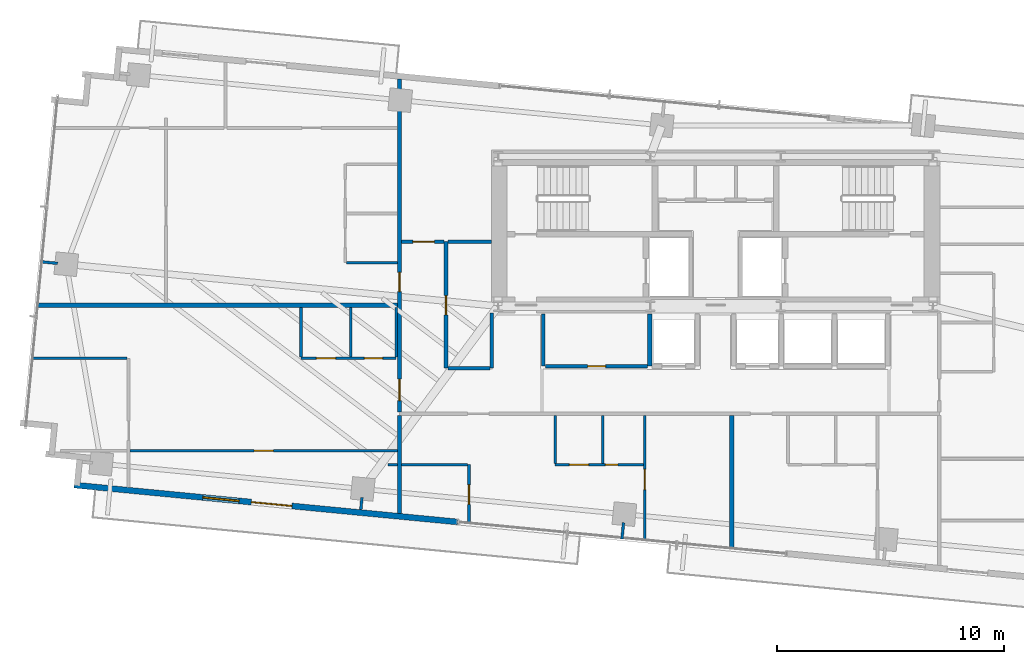
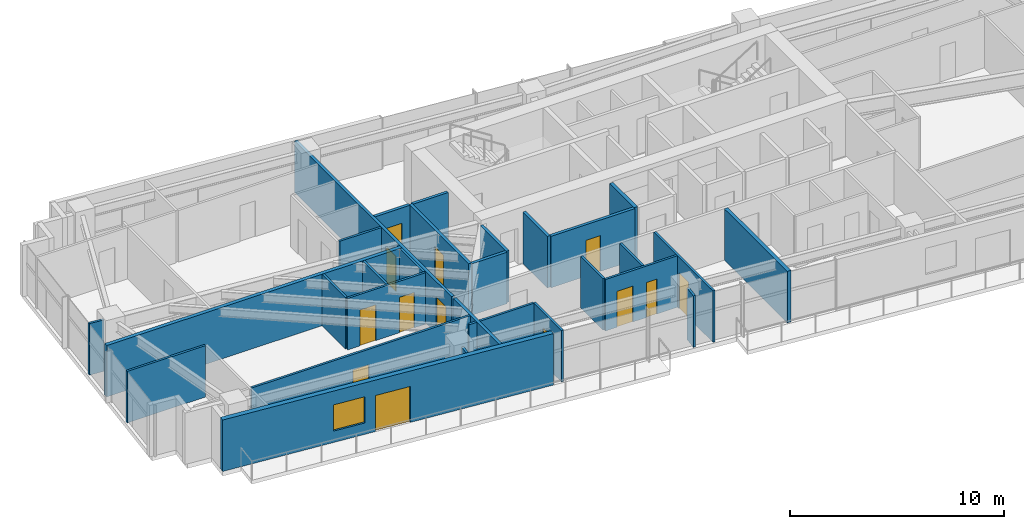
# One storey, part 15 of 20: 30 walls, 13 doors, 1 window, 14 openings.
"""IFC4 building model written with IfcOpenShell, lengths in metres."""

import ifcopenshell
import ifcopenshell.guid

model = None  # the IFC model being written
_history = None  # IfcOwnerHistory: only IFC2X3 demands one
_inside = {}  # id of a spatial element -> (the spatial element, [elements in it])
_under = {}  # id of a project, library or spatial element -> (it, [spatial elements below it])
_declared = {}  # id of a project -> (the project, [libraries it declares])
_typed = {}  # id of a type object -> (the type object, [elements of that type])
_made_of = {}  # id of a material, layer set ... -> (it, [elements and type objects made of it])


def new_model(schema):
    """Start an empty IFC model of exactly this schema.

    Asked for "IFC4X3", IfcOpenShell would pick the latest addendum, in which some entities
    have other attributes; the version numbers below select the first issue.
    IFC2X3 requires an IfcOwnerHistory on every rooted entity: one is made here for all.
    """
    global model, _history
    if schema == "IFC4X3":
        model = ifcopenshell.file(schema_version=(4, 3, 0, 0))
    else:
        model = ifcopenshell.file(schema=schema)
    _inside.clear()
    _under.clear()
    _declared.clear()
    _typed.clear()
    _made_of.clear()
    _history = None
    if model.schema == "IFC2X3":
        org = make("IfcOrganization", Name="unknown")
        user = make(
            "IfcPersonAndOrganization",
            ThePerson=make("IfcPerson", FamilyName="unknown"),
            TheOrganization=org,
        )
        app = make(
            "IfcApplication",
            ApplicationDeveloper=org,
            Version="unknown",
            ApplicationFullName="unknown",
            ApplicationIdentifier="unknown",
        )
        _history = make(
            "IfcOwnerHistory",
            OwningUser=user,
            OwningApplication=app,
            ChangeAction="ADDED",
            CreationDate=0,
        )
    return model


def make(cls, **values):
    """One entity of the class cls with the attributes given. An attribute that is None is left unset."""
    return model.create_entity(
        cls, **{name: value for name, value in values.items() if value is not None}
    )


def rooted(cls, **values):
    """An entity with a GlobalId (a new one), such as an element, a storey or a relation."""
    return make(cls, GlobalId=ifcopenshell.guid.new(), OwnerHistory=_history, **values)


def si_unit(unit_type, name, prefix=None):
    """IfcSIUnit, for example si_unit("LENGTHUNIT", "METRE", prefix="MILLI")."""
    return make("IfcSIUnit", UnitType=unit_type, Prefix=prefix, Name=name)


def assignment(units):
    """IfcUnitAssignment: the units of a project."""
    return None if units is None else make("IfcUnitAssignment", Units=units)


def point(xyz):
    """IfcCartesianPoint."""
    return None if xyz is None else make("IfcCartesianPoint", Coordinates=xyz)


def direction(xyz):
    """IfcDirection."""
    return None if xyz is None else make("IfcDirection", DirectionRatios=xyz)


def frame(location, z_axis=None, x_axis=None):
    """IfcAxis2Placement3D, a coordinate frame: its origin and axes. An axis left out is left unset."""
    return make(
        "IfcAxis2Placement3D",
        Location=point(location),
        Axis=direction(z_axis),
        RefDirection=direction(x_axis),
    )


def frame_2d(location, x_axis=None):
    """IfcAxis2Placement2D, a coordinate frame in the plane: its origin and x axis."""
    return make(
        "IfcAxis2Placement2D", Location=point(location), RefDirection=direction(x_axis)
    )


def origin():
    """The frame at (0, 0, 0) with its axes left unset."""
    return frame((0.0, 0.0, 0.0))


def place(relative_to, where):
    """IfcLocalPlacement: puts the frame where relative to a parent placement (None: the world)."""
    return make(
        "IfcLocalPlacement", PlacementRelTo=relative_to, RelativePlacement=where
    )


def context(
    kind, dimensions, precision=None, world=None, true_north=None, identifier=None
):
    """IfcGeometricRepresentationContext, for example the 3D "Model" context."""
    return make(
        "IfcGeometricRepresentationContext",
        ContextIdentifier=identifier,
        ContextType=kind,
        CoordinateSpaceDimension=dimensions,
        Precision=precision,
        WorldCoordinateSystem=world,
        TrueNorth=true_north,
    )


def subcontext(parent, identifier, kind, view, scale=None):
    """IfcGeometricRepresentationSubContext, for example "Body" below "Model"."""
    return make(
        "IfcGeometricRepresentationSubContext",
        ContextIdentifier=identifier,
        ContextType=kind,
        ParentContext=parent,
        TargetScale=scale,
        TargetView=view,
    )


def project(units=None, contexts=None):
    """IfcProject with its units and contexts."""
    return rooted(
        "IfcProject",
        Name="project",
        RepresentationContexts=contexts,
        UnitsInContext=assignment(units),
    )


def spatial(cls, under=None, at=None, **own):
    """A site, building, storey or space (cls), placed at a placement, below another one or the project."""
    s = rooted(cls, ObjectPlacement=at, **own)
    if under is not None:
        _under.setdefault(under.id(), (under, []))[1].append(s)
    return s


def profile(cls, at=None, kind="AREA", **sizes):
    """A parametric profile (cls). Its sizes go by their IFC names, for example OverallWidth=200.0."""
    return make(cls, ProfileType=kind, Position=at, **sizes)


def rectangle(**sizes):
    """IfcRectangleProfileDef."""
    return profile("IfcRectangleProfileDef", **sizes)


def extrude(swept, where, along, depth):
    """IfcExtrudedAreaSolid: the profile swept, set in the frame where, extruded along a direction by depth."""
    return make(
        "IfcExtrudedAreaSolid",
        SweptArea=swept,
        Position=where,
        ExtrudedDirection=direction(along),
        Depth=depth,
    )


def shape(context_of_items, identifier, shape_type, items):
    """IfcShapeRepresentation: the items that make up one representation, for example the "Body"."""
    return make(
        "IfcShapeRepresentation",
        ContextOfItems=context_of_items,
        RepresentationIdentifier=identifier,
        RepresentationType=shape_type,
        Items=items,
    )


def source(mapping_origin, context_of_items, identifier, shape_type, items):
    """IfcRepresentationMap: a shape defined once, which mapped items show again and again."""
    return make(
        "IfcRepresentationMap",
        MappingOrigin=mapping_origin,
        MappedRepresentation=shape(context_of_items, identifier, shape_type, items),
    )


def transform(
    local_origin,
    x_axis=None,
    y_axis=None,
    z_axis=None,
    scale=None,
    scale2=None,
    scale3=None,
    uniform=True,
):
    """IfcCartesianTransformationOperator3D, or its non-uniform kind. x_axis, y_axis, z_axis: its Axis1, 2, 3."""
    if uniform:
        return make(
            "IfcCartesianTransformationOperator3D",
            Axis1=direction(x_axis),
            Axis2=direction(y_axis),
            LocalOrigin=point(local_origin),
            Scale=scale,
            Axis3=direction(z_axis),
        )
    return make(
        "IfcCartesianTransformationOperator3DnonUniform",
        Axis1=direction(x_axis),
        Axis2=direction(y_axis),
        LocalOrigin=point(local_origin),
        Scale=scale,
        Axis3=direction(z_axis),
        Scale2=scale2,
        Scale3=scale3,
    )


def mapped(mapping_source, mapping_target):
    """IfcMappedItem: shows the shape of a source again, moved by a transform."""
    return make(
        "IfcMappedItem", MappingSource=mapping_source, MappingTarget=mapping_target
    )


def material(Name=None, Category=None):
    """IfcMaterial."""
    return make("IfcMaterial", Name=Name, Category=Category)


def layer(
    of_material, thickness, ventilated=None, Name=None, Category=None, Priority=None
):
    """IfcMaterialLayer: one layer of a wall or slab, of a material (None: an air gap)."""
    return make(
        "IfcMaterialLayer",
        Material=of_material,
        LayerThickness=thickness,
        IsVentilated=ventilated,
        Name=Name,
        Category=Category,
        Priority=Priority,
    )


def layer_set(layers, Name=None):
    """IfcMaterialLayerSet."""
    return make("IfcMaterialLayerSet", MaterialLayers=layers, LayerSetName=Name)


def made_of(thing, what):
    """Note that an element or type object is made of a material, layer set ...; save() writes the relation."""
    if what is not None:
        _made_of.setdefault(what.id(), (what, []))[1].append(thing)
    return thing


def type_object(cls, material=None, **own):
    """A type object (cls), such as IfcWallType, which elements share."""
    return made_of(rooted(cls, **own), material)


def type_shapes(of_type, sources):
    """Give a type object the sources (RepresentationMaps) that its elements show as mapped items."""
    of_type.RepresentationMaps = sources


def element(
    cls,
    number,
    at=None,
    inside=None,
    cuts=None,
    type_object=None,
    material=None,
    context=None,
    identifier="Body",
    shape_type=None,
    held_by="IfcProductDefinitionShape",
    body=None,
    shapes=None,
    **own,
):
    """One element of the class cls, such as IfcWall. Its Tag is "e" and its number.

    at: its placement. inside: the storey or other place that contains it. cuts: it is an
    opening in that element (IfcRelVoidsElement). A single representation is given by context,
    identifier, shape_type and body (its items); several are given by shapes. held_by: the class
    of the entity that holds the representations. save() writes the other relations.
    """
    e = rooted(cls, Tag="e%d" % number, ObjectPlacement=at, **own)
    if body is not None:
        shapes = [shape(context, identifier, shape_type, body)]
    if shapes is not None:
        e.Representation = make(held_by, Representations=shapes)
    if inside is not None:
        _inside.setdefault(inside.id(), (inside, []))[1].append(e)
    if cuts is not None:
        rooted(
            "IfcRelVoidsElement", RelatingBuildingElement=cuts, RelatedOpeningElement=e
        )
    if type_object is not None:
        _typed.setdefault(type_object.id(), (type_object, []))[1].append(e)
    return made_of(e, material)


def fill(opening, filler):
    """IfcRelFillsElement: the door or window that sits in an opening."""
    return rooted(
        "IfcRelFillsElement",
        RelatingOpeningElement=opening,
        RelatedBuildingElement=filler,
    )


def aggregate(whole, parts):
    """IfcRelAggregates: a whole, such as a stair, and the parts it consists of."""
    return rooted("IfcRelAggregates", RelatingObject=whole, RelatedObjects=parts)


def save(model, path):
    """Write the relations noted so far, then the file.

    IfcRelAggregates (storeys below a building ...), IfcRelContainedInSpatialStructure (elements
    in a storey), IfcRelDefinesByType, IfcRelAssociatesMaterial and IfcRelDeclares: one each for
    every whole, place, type object, material and project.
    """
    for whole, parts in _under.values():
        aggregate(whole, parts)
    for where, things in _inside.values():
        rooted(
            "IfcRelContainedInSpatialStructure",
            RelatedElements=things,
            RelatingStructure=where,
        )
    for kind, things in _typed.values():
        rooted("IfcRelDefinesByType", RelatedObjects=things, RelatingType=kind)
    for what, things in _made_of.values():
        rooted("IfcRelAssociatesMaterial", RelatedObjects=things, RelatingMaterial=what)
    for by, libraries in _declared.values():
        rooted("IfcRelDeclares", RelatingContext=by, RelatedDefinitions=libraries)
    model.write(path)


model = new_model("IFC4")

# Units and contexts
model_context = context("Model", 3, precision=1e-05, world=origin(), true_north=direction((0.0, 1.0)))
body_context = subcontext(model_context, "Body", "Model", "MODEL_VIEW")
ifc_project = project(units=[si_unit("LENGTHUNIT", "METRE"), si_unit("AREAUNIT", "SQUARE_METRE"), si_unit("VOLUMEUNIT", "CUBIC_METRE"), si_unit("PLANEANGLEUNIT", "RADIAN"), si_unit("MASSUNIT", "GRAM", prefix="KILO")], contexts=[model_context])

# Site, building, storey
site_placement = place(None, origin())
site = spatial("IfcSite", under=ifc_project, at=site_placement, CompositionType="ELEMENT")
building_placement = place(site_placement, origin())
building = spatial("IfcBuilding", under=site, at=building_placement, Name="Astriad Promenade Condominiums", CompositionType="ELEMENT")
storey_placement = place(building_placement, frame((0.0, 0.0, 137.39990234375)))
storey = spatial("IfcBuildingStorey", under=building, at=storey_placement, Name="L39", CompositionType="ELEMENT", Elevation=137.39990234375)

# Wall
ifc_material_1 = material(Name="Fire-Rated Gypsum Partition")
ifc_layer_1 = layer(ifc_material_1, 0.159912109375)
ifc_layer_set_1 = layer_set([ifc_layer_1], Name="Fire-Rated Gypsum Partition")
wall_type_1 = type_object("IfcWallType", Name="WALL-CORR-160", PredefinedType="PARTITIONING", material=ifc_layer_set_1)
wall_1_placement = place(storey_placement, frame((28.39990234375, 14.75, 0.0), z_axis=(0.0, 0.0, 1.0), x_axis=(0.0, 1.0, 0.0)))
element("IfcWall", 1, at=wall_1_placement, inside=storey, type_object=wall_type_1, Name="REC-L-W-L39", PredefinedType="PARTITIONING", context=body_context, shape_type="SweptSolid", body=[
    extrude(rectangle(XDim=2.300048828125, YDim=0.159912109375, at=frame_2d((1.14990234375, 0.0))), origin(), (0.0, 0.0, 1.0), 2.940185546875),
])

# Wall, opening, door
wall_2_placement = place(storey_placement, frame((28.48193359375, 14.75, 0.0), z_axis=(0.0, 0.0, 1.0), x_axis=(1.0, 0.0, 0.0)))
wall_2 = element("IfcWall", 2, at=wall_2_placement, inside=storey, type_object=wall_type_1, Name="REC-L-S-L39", PredefinedType="PARTITIONING", context=body_context, shape_type="SweptSolid", body=[
    extrude(rectangle(XDim=4.51611328125, YDim=0.159912109375, at=frame_2d((2.258056640625, 0.0))), origin(), (0.0, 0.0, 1.0), 2.940185546875),
])
opening_1_placement = place(wall_2_placement, frame((1.867919921875, 0.0, 0.0)))
opening_1 = element("IfcOpeningElement", 3, at=opening_1_placement, cuts=wall_2, Name="Opening FD60-SV-080", PredefinedType="OPENING", context=body_context, shape_type="SweptSolid", body=[
    extrude(rectangle(XDim=0.800048828125, YDim=2.050048828125, at=frame_2d((0.39990234375, 1.02490234375))), frame((0.0, 0.08984375, 0.0), z_axis=(0.0, -1.0, 0.0), x_axis=(1.0, 0.0, 0.0)), (0.0, 0.0, 1.0), 0.179931640625),
])
ifc_material_2 = material(Name="Fire-Rated Riser Closet Door")
door_type_1 = type_object("IfcDoorType", Name="FD60-SV-080", OperationType="NOTDEFINED", PredefinedType="DOOR", material=ifc_material_2)
shared_shape_1 = source(origin(), body_context, "Body", "SweptSolid", [
    extrude(rectangle(XDim=0.800048828125, YDim=2.050048828125, at=frame_2d((0.39990234375, 1.02490234375))), frame((0.0, 0.02490234375, 0.0), z_axis=(0.0, -1.0, 0.0), x_axis=(1.0, 0.0, 0.0)), (0.0, 0.0, 1.0), 0.050048828125),
])
type_shapes(door_type_1, [shared_shape_1])
door_1_placement = place(opening_1_placement, origin())
door_1 = element("IfcDoor", 4, at=door_1_placement, inside=storey, type_object=door_type_1, Name="D-RECL-L39", OperationType="SINGLE_SWING_LEFT", OverallHeight=2.050048828125, OverallWidth=0.800048828125, PredefinedType="DOOR", context=body_context, shape_type="MappedRepresentation", body=[
    mapped(shared_shape_1, transform((0.0, 0.0, 0.0), scale=1.0)),
])
fill(opening_1, door_1)

# Wall
wall_3_placement = place(storey_placement, frame((22.050048828125, 8.253173828125, 0.0), z_axis=(0.0, 0.0, 1.0), x_axis=(0.0, 1.0, 0.0)))
element("IfcWall", 5, at=wall_3_placement, inside=storey, type_object=wall_type_1, Name="PT-COR-W-L39", PredefinedType="PARTITIONING", context=body_context, shape_type="SweptSolid", body=[
    extrude(rectangle(XDim=4.31494140625, YDim=0.159912109375, at=frame_2d((2.157470703125, 0.0))), origin(), (0.0, 0.0, 1.0), 2.940185546875),
])

# Wall, openings, doors
wall_4_placement = place(storey_placement, frame((22.050048828125, 12.73193359375, 0.0), z_axis=(0.0, 0.0, 1.0), x_axis=(0.0, 1.0, 0.0)))
wall_4 = element("IfcWall", 6, at=wall_4_placement, inside=storey, type_object=wall_type_1, Name="PT-COR-W-L39-S2", PredefinedType="PARTITIONING", context=body_context, shape_type="SweptSolid", body=[
    extrude(rectangle(XDim=14.685302734375, YDim=0.159912109375, at=frame_2d((7.3427734375, 0.0))), origin(), (0.0, 0.0, 1.0), 2.940185546875),
])
opening_2_placement = place(wall_4_placement, frame((0.492919921875, 0.0, 0.0)))
opening_2 = element("IfcOpeningElement", 7, at=opening_2_placement, cuts=wall_4, Name="Opening FD60-APT-095", PredefinedType="OPENING", context=body_context, shape_type="SweptSolid", body=[
    extrude(rectangle(XDim=0.949951171875, YDim=2.06005859375, at=frame_2d((0.47509765625, 1.030029296875))), frame((0.0, 0.08984375, 0.0), z_axis=(0.0, -1.0, 0.0), x_axis=(1.0, 0.0, 0.0)), (0.0, 0.0, 1.0), 0.179931640625),
])
opening_3_placement = place(wall_4_placement, frame((5.31298828125, 0.0, 0.0)))
opening_3 = element("IfcOpeningElement", 8, at=opening_3_placement, cuts=wall_4, Name="Opening FD60-ULOW-085", PredefinedType="OPENING", context=body_context, shape_type="SweptSolid", body=[
    extrude(rectangle(XDim=0.85009765625, YDim=2.0, at=frame_2d((0.425048828125, 1.0))), frame((0.0, 0.08984375, 0.0), z_axis=(0.0, -1.0, 0.0), x_axis=(1.0, 0.0, 0.0)), (0.0, 0.0, 1.0), 0.179931640625),
])
ifc_material_3 = material(Name="Solid-Core Acoustic Timber Residence Entry Door", Category="wood")
door_type_2 = type_object("IfcDoorType", Name="FD60-APT-095", OperationType="NOTDEFINED", PredefinedType="DOOR", material=ifc_material_3)
shared_shape_2 = source(origin(), body_context, "Body", "SweptSolid", [
    extrude(rectangle(XDim=0.949951171875, YDim=2.06005859375, at=frame_2d((0.47509765625, 1.030029296875))), frame((0.0, 0.02490234375, 0.0), z_axis=(0.0, -1.0, 0.0), x_axis=(1.0, 0.0, 0.0)), (0.0, 0.0, 1.0), 0.050048828125),
])
type_shapes(door_type_2, [shared_shape_2])
door_2_placement = place(opening_2_placement, origin())
door_2 = element("IfcDoor", 9, at=door_2_placement, inside=storey, type_object=door_type_2, Name="D-ENT-L39-W1", OperationType="SINGLE_SWING_LEFT", OverallHeight=2.06005859375, OverallWidth=0.949951171875, PredefinedType="DOOR", context=body_context, shape_type="MappedRepresentation", body=[
    mapped(shared_shape_2, transform((0.0, 0.0, 0.0), scale=1.0)),
])
fill(opening_2, door_2)
ifc_material_4 = material(Name="Solid-Core Low-Headroom Fire Door")
door_type_3 = type_object("IfcDoorType", Name="FD60-ULOW-085", OperationType="NOTDEFINED", PredefinedType="DOOR", material=ifc_material_4)
shared_shape_3 = source(origin(), body_context, "Body", "SweptSolid", [
    extrude(rectangle(XDim=0.85009765625, YDim=2.0, at=frame_2d((0.425048828125, 1.0))), frame((0.0, 0.02490234375, 0.0), z_axis=(0.0, -1.0, 0.0), x_axis=(1.0, 0.0, 0.0)), (0.0, 0.0, 1.0), 0.050048828125),
])
type_shapes(door_type_3, [shared_shape_3])
door_3_placement = place(opening_3_placement, origin())
door_3 = element("IfcDoor", 10, at=door_3_placement, inside=storey, type_object=door_type_3, Name="D-ENT-L39-W2", OperationType="SINGLE_SWING_RIGHT", OverallHeight=2.0, OverallWidth=0.85009765625, PredefinedType="DOOR", context=body_context, shape_type="MappedRepresentation", body=[
    mapped(shared_shape_3, transform((0.0, 0.0, 0.0), scale=1.0)),
])
fill(opening_3, door_3)

# Wall, opening, door
wall_5_placement = place(storey_placement, frame((24.10009765625, 14.659912109375, 0.0), z_axis=(0.0, 0.0, 1.0), x_axis=(0.0, 1.0, 0.0)))
wall_5 = element("IfcWall", 11, at=wall_5_placement, inside=storey, type_object=wall_type_1, Name="PT-HK-E-L39", PredefinedType="PARTITIONING", context=body_context, shape_type="SweptSolid", body=[
    extrude(rectangle(XDim=5.590087890625, YDim=0.159912109375, at=frame_2d((2.794921875, 0.0))), origin(), (0.0, 0.0, 1.0), 2.940185546875),
])
opening_4_placement = place(wall_5_placement, frame((2.360107421875, 0.0, 0.0)))
opening_4 = element("IfcOpeningElement", 12, at=opening_4_placement, cuts=wall_5, Name="Opening FD60-ULOW-085", PredefinedType="OPENING", context=body_context, shape_type="SweptSolid", body=[
    extrude(rectangle(XDim=0.85009765625, YDim=2.0, at=frame_2d((0.425048828125, 1.0))), frame((0.0, 0.08984375, 0.0), z_axis=(0.0, -1.0, 0.0), x_axis=(1.0, 0.0, 0.0)), (0.0, 0.0, 1.0), 0.179931640625),
])
door_4_placement = place(opening_4_placement, origin())
door_4 = element("IfcDoor", 13, at=door_4_placement, inside=storey, type_object=door_type_3, Name="D-HKA-L39", OperationType="SINGLE_SWING_RIGHT", OverallHeight=2.0, OverallWidth=0.85009765625, PredefinedType="DOOR", context=body_context, shape_type="MappedRepresentation", body=[
    mapped(shared_shape_3, transform((0.0, 0.0, 0.0), scale=1.0)),
])
fill(opening_4, door_4)

wall_6_placement = place(storey_placement, frame((22.132080078125, 20.25, 0.0), z_axis=(0.0, 0.0, 1.0), x_axis=(1.0, 0.0, 0.0)))
wall_6 = element("IfcWall", 14, at=wall_6_placement, inside=storey, type_object=wall_type_1, Name="PT-HK-N-L39", PredefinedType="PARTITIONING", context=body_context, shape_type="SweptSolid", body=[
    extrude(rectangle(XDim=1.885986328125, YDim=0.159912109375, at=frame_2d((0.94287109375, 0.0))), origin(), (0.0, 0.0, 1.0), 2.940185546875),
])
opening_5_placement = place(wall_6_placement, frame((0.508056640625, 0.0, 0.0)))
opening_5 = element("IfcOpeningElement", 15, at=opening_5_placement, cuts=wall_6, Name="Opening FD60-APT-095", PredefinedType="OPENING", context=body_context, shape_type="SweptSolid", body=[
    extrude(rectangle(XDim=0.949951171875, YDim=2.06005859375, at=frame_2d((0.47509765625, 1.030029296875))), frame((0.0, 0.08984375, 0.0), z_axis=(0.0, -1.0, 0.0), x_axis=(1.0, 0.0, 0.0)), (0.0, 0.0, 1.0), 0.179931640625),
])
door_5_placement = place(opening_5_placement, origin())
door_5 = element("IfcDoor", 16, at=door_5_placement, inside=storey, type_object=door_type_2, Name="D-HKB-L39", OperationType="SINGLE_SWING_LEFT", OverallHeight=2.06005859375, OverallWidth=0.949951171875, PredefinedType="DOOR", context=body_context, shape_type="MappedRepresentation", body=[
    mapped(shared_shape_2, transform((0.0, 0.0, 0.0), scale=1.0)),
])
fill(opening_5, door_5)

# Walls
wall_7_placement = place(storey_placement, frame((24.181884765625, 20.25, 0.0), z_axis=(0.0, 0.0, 1.0), x_axis=(1.0, 0.0, 0.0)))
element("IfcWall", 17, at=wall_7_placement, inside=storey, type_object=wall_type_1, Name="PT-HK-N-L39-S2", PredefinedType="PARTITIONING", context=body_context, shape_type="SweptSolid", body=[
    extrude(rectangle(XDim=1.916015625, YDim=0.159912109375, at=frame_2d((0.9580078125, 0.0))), origin(), (0.0, 0.0, 1.0), 2.940185546875),
])
wall_8_placement = place(storey_placement, frame((26.1201171875, 14.659912109375, 0.0), z_axis=(0.0, 0.0, 1.0), x_axis=(0.0, 1.0, 0.0)))
element("IfcWall", 18, at=wall_8_placement, inside=storey, type_object=wall_type_1, Name="PT-WSPUR-W-L39", PredefinedType="PARTITIONING", context=body_context, shape_type="SweptSolid", body=[
    extrude(rectangle(XDim=2.43798828125, YDim=0.159912109375, at=frame_2d((1.218994140625, 0.0))), origin(), (0.0, 0.0, 1.0), 2.940185546875),
])
wall_9_placement = place(storey_placement, frame((24.181884765625, 14.659912109375, 0.0), z_axis=(0.0, 0.0, 1.0), x_axis=(1.0, 0.0, 0.0)))
element("IfcWall", 19, at=wall_9_placement, inside=storey, type_object=wall_type_1, Name="PT-HK-S-L39", PredefinedType="PARTITIONING", context=body_context, shape_type="SweptSolid", body=[
    extrude(rectangle(XDim=1.856201171875, YDim=0.159912109375, at=frame_2d((0.92822265625, 0.0))), origin(), (0.0, 0.0, 1.0), 2.940185546875),
])
ifc_material_5 = material(Name="Acoustic Double-Stud Gypsum Partition")
ifc_layer_2 = layer(ifc_material_5, 0.199951171875)
ifc_layer_set_2 = layer_set([ifc_layer_2], Name="Acoustic Double-Stud Gypsum Partition")
wall_type_2 = type_object("IfcWallType", Name="WALL-DEMISING-200", PredefinedType="PARTITIONING", material=ifc_layer_set_2)
wall_10_placement = place(storey_placement, frame((36.719970703125, 6.65771484375, 0.0), z_axis=(0.0, 0.0, 1.0), x_axis=(0.0, 1.0, 0.0)))
element("IfcWall", 20, at=wall_10_placement, inside=storey, type_object=wall_type_2, Name="PT-DEM-S1-L39", PredefinedType="PARTITIONING", context=body_context, shape_type="SweptSolid", body=[
    extrude(rectangle(XDim=5.910400390625, YDim=0.199951171875, at=frame_2d((2.955078125, 0.0))), origin(), (0.0, 0.0, 1.0), 2.940185546875),
])
wall_11_placement = place(storey_placement, frame((6.01904296875, 17.449951171875, 0.0), z_axis=(0.0, 0.0, 1.0), x_axis=(1.0, 0.0, 0.0)))
element("IfcWall", 21, at=wall_11_placement, inside=storey, type_object=wall_type_2, Name="PT-DEM-WW-L39", PredefinedType="PARTITIONING", context=body_context, shape_type="SweptSolid", body=[
    extrude(rectangle(XDim=15.948974609375, YDim=0.199951171875, at=frame_2d((7.974609375, 0.0))), origin(), (0.0, 0.0, 1.0), 2.940185546875),
])

# Wall, openings, door, window
ifc_material_6 = material(Name="Precast concrete C50/60", Category="concrete")
ifc_layer_3 = layer(ifc_material_6, 0.260009765625)
ifc_layer_set_3 = layer_set([ifc_layer_3], Name="Precast concrete C50/60")
wall_type_3 = type_object("IfcWallType", Name="WALL-EXT-TWR-260", PredefinedType="STANDARD", material=ifc_layer_set_3)
wall_12_placement = place(storey_placement, frame((24.61669921875, 7.873291015625, 0.0), z_axis=(0.0, 0.0, 1.0), x_axis=(-0.995395976631, 0.095848055311, 0.0)))
wall_12 = element("IfcWall", 22, at=wall_12_placement, inside=storey, type_object=wall_type_3, Name="W-EXT-L39-S2", PredefinedType="STANDARD", context=body_context, shape_type="SweptSolid", body=[
    extrude(rectangle(XDim=17.010009765625, YDim=0.260009765625, at=frame_2d((8.5048828125, 0.0))), origin(), (0.0, 0.0, 1.0), 2.940185546875),
])
opening_6_placement = place(wall_12_placement, frame((7.35009765625, 0.0, 0.0)))
opening_6 = element("IfcOpeningElement", 23, at=opening_6_placement, cuts=wall_12, Name="Opening BD-1822-SLD", PredefinedType="OPENING", context=body_context, shape_type="SweptSolid", body=[
    extrude(rectangle(XDim=1.800048828125, YDim=2.06005859375, at=frame_2d((0.89990234375, 1.030029296875))), frame((0.0, 0.139892578125, 0.0), z_axis=(0.0, -1.0, 0.0), x_axis=(1.0, 0.0, 0.0)), (0.0, 0.0, 1.0), 0.280029296875),
])
opening_7_placement = place(wall_12_placement, frame((9.699951171875, 0.0, 0.64990234375)))
opening_7 = element("IfcOpeningElement", 24, at=opening_7_placement, cuts=wall_12, Name="Opening WIN-TWR-1620", PredefinedType="OPENING", context=body_context, shape_type="SweptSolid", body=[
    extrude(rectangle(XDim=1.60009765625, YDim=1.5, at=frame_2d((0.800048828125, 0.75))), frame((0.0, 0.139892578125, 0.0), z_axis=(0.0, -1.0, 0.0), x_axis=(1.0, 0.0, 0.0)), (0.0, 0.0, 1.0), 0.280029296875),
])
ifc_material_7 = material(Name="Thermally Broken Aluminium Sliding Balcony Door", Category="aluminium")
door_type_4 = type_object("IfcDoorType", Name="BD-1822-SLD", OperationType="NOTDEFINED", PredefinedType="DOOR", material=ifc_material_7)
shared_shape_4 = source(origin(), body_context, "Body", "SweptSolid", [
    extrude(rectangle(XDim=1.800048828125, YDim=2.06005859375, at=frame_2d((0.89990234375, 1.030029296875))), frame((0.0, 0.02490234375, 0.0), z_axis=(0.0, -1.0, 0.0), x_axis=(1.0, 0.0, 0.0)), (0.0, 0.0, 1.0), 0.050048828125),
])
type_shapes(door_type_4, [shared_shape_4])
door_6_placement = place(opening_6_placement, origin())
door_6 = element("IfcDoor", 25, at=door_6_placement, inside=storey, type_object=door_type_4, Name="BD-L39-SW", OperationType="SLIDING_TO_LEFT", OverallHeight=2.06005859375, OverallWidth=1.800048828125, PredefinedType="DOOR", context=body_context, shape_type="MappedRepresentation", body=[
    mapped(shared_shape_4, transform((0.0, 0.0, 0.0), scale=1.0)),
])
fill(opening_6, door_6)
ifc_material_8 = material(Name="Dark Tinted Triple-Glazed Aluminium Window", Category="aluminium")
window_type = type_object("IfcWindowType", Name="WIN-TWR-1620", PartitioningType="SINGLE_PANEL", PredefinedType="WINDOW", material=ifc_material_8)
shared_shape_5 = source(origin(), body_context, "Body", "SweptSolid", [
    extrude(rectangle(XDim=1.60009765625, YDim=1.5, at=frame_2d((0.800048828125, 0.75))), frame((0.0, 0.030029296875, 0.0), z_axis=(0.0, -1.0, 0.0), x_axis=(1.0, 0.0, 0.0)), (0.0, 0.0, 1.0), 0.06005859375),
])
type_shapes(window_type, [shared_shape_5])
window_placement = place(opening_7_placement, origin())
window = element("IfcWindow", 26, at=window_placement, inside=storey, type_object=window_type, Name="WIN-L39-SW", OverallHeight=1.5, OverallWidth=1.60009765625, PartitioningType="SINGLE_PANEL", PredefinedType="WINDOW", context=body_context, shape_type="MappedRepresentation", body=[
    mapped(shared_shape_5, transform((0.0, 0.0, 0.0), scale=1.0)),
])
fill(opening_7, window)

# Wall, opening, door
ifc_material_9 = material(Name="Acoustic Metal-Stud Gypsum Partition")
ifc_layer_4 = layer(ifc_material_9, 0.1201171875)
ifc_layer_set_4 = layer_set([ifc_layer_4], Name="Acoustic Metal-Stud Gypsum Partition")
wall_type_4 = type_object("IfcWallType", Name="WALL-PART-120", PredefinedType="PARTITIONING", material=ifc_layer_set_4)
wall_13_placement = place(storey_placement, frame((32.8701171875, 7.0283203125, 0.0), z_axis=(0.0, 0.0, 1.0), x_axis=(0.0, 1.0, 0.0)))
wall_13 = element("IfcWall", 27, at=wall_13_placement, inside=storey, type_object=wall_type_4, Name="PT-L39-S1-BD1", PredefinedType="PARTITIONING", context=body_context, shape_type="SweptSolid", body=[
    extrude(rectangle(XDim=5.539794921875, YDim=0.1201171875, at=frame_2d((2.77001953125, 0.0))), origin(), (0.0, 0.0, 1.0), 2.940185546875),
])
opening_8_placement = place(wall_13_placement, frame((2.271728515625, 0.0, 0.0)))
opening_8 = element("IfcOpeningElement", 28, at=opening_8_placement, cuts=wall_13, Name="Opening D-INT-090", PredefinedType="OPENING", context=body_context, shape_type="SweptSolid", body=[
    extrude(rectangle(XDim=0.89990234375, YDim=2.050048828125, at=frame_2d((0.449951171875, 1.02490234375))), frame((0.0, 0.070068359375, 0.0), z_axis=(0.0, -1.0, 0.0), x_axis=(1.0, 0.0, 0.0)), (0.0, 0.0, 1.0), 0.14013671875),
])
ifc_material_10 = material(Name="Painted Solid-Core Timber Bedroom Door", Category="wood")
door_type_5 = type_object("IfcDoorType", Name="D-INT-090", OperationType="NOTDEFINED", PredefinedType="DOOR", material=ifc_material_10)
shared_shape_6 = source(origin(), body_context, "Body", "SweptSolid", [
    extrude(rectangle(XDim=0.89990234375, YDim=2.050048828125, at=frame_2d((0.449951171875, 1.02490234375))), frame((0.0, 0.02490234375, 0.0), z_axis=(0.0, -1.0, 0.0), x_axis=(1.0, 0.0, 0.0)), (0.0, 0.0, 1.0), 0.050048828125),
])
type_shapes(door_type_5, [shared_shape_6])
door_7_placement = place(opening_8_placement, origin())
door_7 = element("IfcDoor", 29, at=door_7_placement, inside=storey, type_object=door_type_5, Name="D-BD1-L39-S1", OperationType="SINGLE_SWING_RIGHT", OverallHeight=2.050048828125, OverallWidth=0.89990234375, PredefinedType="DOOR", context=body_context, shape_type="MappedRepresentation", body=[
    mapped(shared_shape_6, transform((0.0, 0.0, 0.0), scale=1.0)),
])
fill(opening_8, door_7)

# Wall, openings, doors
wall_14_placement = place(storey_placement, frame((28.919921875, 10.39990234375, 0.0), z_axis=(0.0, 0.0, 1.0), x_axis=(1.0, 0.0, 0.0)))
wall_14 = element("IfcWall", 30, at=wall_14_placement, inside=storey, type_object=wall_type_4, Name="PT-L39-S1-PS", PredefinedType="PARTITIONING", context=body_context, shape_type="SweptSolid", body=[
    extrude(rectangle(XDim=3.88818359375, YDim=0.1201171875, at=frame_2d((1.944091796875, 0.0))), origin(), (0.0, 0.0, 1.0), 2.940185546875),
])
opening_9_placement = place(wall_14_placement, frame((0.625, 0.0, 0.0)))
opening_9 = element("IfcOpeningElement", 31, at=opening_9_placement, cuts=wall_14, Name="Opening D-INT-085", PredefinedType="OPENING", context=body_context, shape_type="SweptSolid", body=[
    extrude(rectangle(XDim=0.85009765625, YDim=2.050048828125, at=frame_2d((0.425048828125, 1.02490234375))), frame((0.0, 0.070068359375, 0.0), z_axis=(0.0, -1.0, 0.0), x_axis=(1.0, 0.0, 0.0)), (0.0, 0.0, 1.0), 0.14013671875),
])
opening_10_placement = place(wall_14_placement, frame((2.219970703125, 0.0, 0.0)))
opening_10 = element("IfcOpeningElement", 32, at=opening_10_placement, cuts=wall_14, Name="Opening D-AC-055", PredefinedType="OPENING", context=body_context, shape_type="SweptSolid", body=[
    extrude(rectangle(XDim=0.550048828125, YDim=2.0, at=frame_2d((0.27490234375, 1.0))), frame((0.0, 0.070068359375, 0.0), z_axis=(0.0, -1.0, 0.0), x_axis=(1.0, 0.0, 0.0)), (0.0, 0.0, 1.0), 0.14013671875),
])
ifc_material_11 = material(Name="Painted Solid-Core Timber Room Door", Category="wood")
door_type_6 = type_object("IfcDoorType", Name="D-INT-085", OperationType="NOTDEFINED", PredefinedType="DOOR", material=ifc_material_11)
shared_shape_7 = source(origin(), body_context, "Body", "SweptSolid", [
    extrude(rectangle(XDim=0.85009765625, YDim=2.050048828125, at=frame_2d((0.425048828125, 1.02490234375))), frame((0.0, 0.02490234375, 0.0), z_axis=(0.0, -1.0, 0.0), x_axis=(1.0, 0.0, 0.0)), (0.0, 0.0, 1.0), 0.050048828125),
])
type_shapes(door_type_6, [shared_shape_7])
door_8_placement = place(opening_9_placement, origin())
door_8 = element("IfcDoor", 33, at=door_8_placement, inside=storey, type_object=door_type_6, Name="D-KIT-L39-S1", OperationType="SINGLE_SWING_LEFT", OverallHeight=2.050048828125, OverallWidth=0.85009765625, PredefinedType="DOOR", context=body_context, shape_type="MappedRepresentation", body=[
    mapped(shared_shape_7, transform((0.0, 0.0, 0.0), scale=1.0)),
])
fill(opening_9, door_8)
ifc_material_12 = material(Name="Painted Timber Access Door", Category="wood")
door_type_7 = type_object("IfcDoorType", Name="D-AC-055", OperationType="NOTDEFINED", PredefinedType="DOOR", material=ifc_material_12)
shared_shape_8 = source(origin(), body_context, "Body", "SweptSolid", [
    extrude(rectangle(XDim=0.550048828125, YDim=2.0, at=frame_2d((0.27490234375, 1.0))), frame((0.0, 0.02490234375, 0.0), z_axis=(0.0, -1.0, 0.0), x_axis=(1.0, 0.0, 0.0)), (0.0, 0.0, 1.0), 0.050048828125),
])
type_shapes(door_type_7, [shared_shape_8])
door_9_placement = place(opening_10_placement, origin())
door_9 = element("IfcDoor", 34, at=door_9_placement, inside=storey, type_object=door_type_7, Name="D-BTH-L39-S1", OperationType="SINGLE_SWING_RIGHT", OverallHeight=2.0, OverallWidth=0.550048828125, PredefinedType="DOOR", context=body_context, shape_type="MappedRepresentation", body=[
    mapped(shared_shape_8, transform((0.0, 0.0, 0.0), scale=1.0)),
])
fill(opening_10, door_9)

# Walls
for number, where, z_axis, x_axis, name in (
    (35, (31.02001953125, 10.4619140625, 0.0), (0.0, 0.0, 1.0), (0.0, 1.0, 0.0), "PT-L39-S1-PBK"),
    (36, (28.919921875, 10.4619140625, 0.0), (0.0, 0.0, 1.0), (0.0, 1.0, 0.0), "PT-L39-S1-PKW"),
):
    element("IfcWall", number, at=place(storey_placement, frame(where, z_axis=z_axis, x_axis=x_axis)), inside=storey, type_object=wall_type_4, Name=name, PredefinedType="PARTITIONING", context=body_context, shape_type="SweptSolid", body=[
        extrude(rectangle(XDim=2.106201171875, YDim=0.1201171875, at=frame_2d((1.05322265625, 0.0))), origin(), (0.0, 0.0, 1.0), 2.940185546875),
    ])

# Wall, opening, door
wall_15_placement = place(storey_placement, frame((25.117919921875, 7.77490234375, 0.0), z_axis=(0.0, 0.0, 1.0), x_axis=(0.0, 1.0, 0.0)))
wall_15 = element("IfcWall", 37, at=wall_15_placement, inside=storey, type_object=wall_type_4, Name="PT-L39-S1-EXV", PredefinedType="PARTITIONING", context=body_context, shape_type="SweptSolid", body=[
    extrude(rectangle(XDim=2.625, YDim=0.1201171875, at=frame_2d((1.3125, 0.0))), origin(), (0.0, 0.0, 1.0), 2.940185546875),
])
opening_11_placement = place(wall_15_placement, frame((0.880126953125, 0.0, 0.0)))
opening_11 = element("IfcOpeningElement", 38, at=opening_11_placement, cuts=wall_15, Name="Opening D-INT-085", PredefinedType="OPENING", context=body_context, shape_type="SweptSolid", body=[
    extrude(rectangle(XDim=0.85009765625, YDim=2.050048828125, at=frame_2d((0.425048828125, 1.02490234375))), frame((0.0, 0.070068359375, 0.0), z_axis=(0.0, -1.0, 0.0), x_axis=(1.0, 0.0, 0.0)), (0.0, 0.0, 1.0), 0.14013671875),
])
door_10_placement = place(opening_11_placement, origin())
door_10 = element("IfcDoor", 39, at=door_10_placement, inside=storey, type_object=door_type_6, Name="D-EX-L39-S1", OperationType="SINGLE_SWING_RIGHT", OverallHeight=2.050048828125, OverallWidth=0.85009765625, PredefinedType="DOOR", context=body_context, shape_type="MappedRepresentation", body=[
    mapped(shared_shape_7, transform((0.0, 0.0, 0.0), scale=1.0)),
])
fill(opening_11, door_10)

# Walls
wall_16_placement = place(storey_placement, frame((21.550048828125, 10.39990234375, 0.0), z_axis=(0.0, 0.0, 1.0), x_axis=(1.0, 0.0, 0.0)))
element("IfcWall", 40, at=wall_16_placement, inside=storey, type_object=wall_type_4, Name="PT-L39-S1-EXH", PredefinedType="PARTITIONING", context=body_context, shape_type="SweptSolid", body=[
    extrude(rectangle(XDim=0.41796875, YDim=0.1201171875, at=frame_2d((0.208984375, 0.0))), origin(), (0.0, 0.0, 1.0), 2.940185546875),
])
wall_17_placement = place(storey_placement, frame((22.132080078125, 10.39990234375, 0.0), z_axis=(0.0, 0.0, 1.0), x_axis=(1.0, 0.0, 0.0)))
element("IfcWall", 41, at=wall_17_placement, inside=storey, type_object=wall_type_4, Name="PT-L39-S1-EXH-S2", PredefinedType="PARTITIONING", context=body_context, shape_type="SweptSolid", body=[
    extrude(rectangle(XDim=2.923828125, YDim=0.1201171875, at=frame_2d((1.4619140625, 0.0))), origin(), (0.0, 0.0, 1.0), 2.940185546875),
])

# Wall, openings, doors
wall_18_placement = place(storey_placement, frame((17.699951171875, 15.10009765625, 0.0), z_axis=(0.0, 0.0, 1.0), x_axis=(1.0, 0.0, 0.0)))
wall_18 = element("IfcWall", 42, at=wall_18_placement, inside=storey, type_object=wall_type_4, Name="PT-L39-W1-PH", PredefinedType="PARTITIONING", context=body_context, shape_type="SweptSolid", body=[
    extrude(rectangle(XDim=4.199951171875, YDim=0.1201171875, at=frame_2d((2.10009765625, 0.0))), origin(), (0.0, 0.0, 1.0), 2.940185546875),
])
opening_12_placement = place(wall_18_placement, frame((0.675048828125, 0.0, 0.0)))
opening_12 = element("IfcOpeningElement", 43, at=opening_12_placement, cuts=wall_18, Name="Opening D-INT-085", PredefinedType="OPENING", context=body_context, shape_type="SweptSolid", body=[
    extrude(rectangle(XDim=0.85009765625, YDim=2.050048828125, at=frame_2d((0.425048828125, 1.02490234375))), frame((0.0, 0.070068359375, 0.0), z_axis=(0.0, -1.0, 0.0), x_axis=(1.0, 0.0, 0.0)), (0.0, 0.0, 1.0), 0.14013671875),
])
opening_13_placement = place(wall_18_placement, frame((2.800048828125, 0.0, 0.0)))
opening_13 = element("IfcOpeningElement", 44, at=opening_13_placement, cuts=wall_18, Name="Opening D-WET-080", PredefinedType="OPENING", context=body_context, shape_type="SweptSolid", body=[
    extrude(rectangle(XDim=0.800048828125, YDim=2.02001953125, at=frame_2d((0.39990234375, 1.010009765625))), frame((0.0, 0.070068359375, 0.0), z_axis=(0.0, -1.0, 0.0), x_axis=(1.0, 0.0, 0.0)), (0.0, 0.0, 1.0), 0.14013671875),
])
ifc_material_13 = material(Name="Moisture-Resistant Timber Bathroom Door", Category="wood")
door_type_8 = type_object("IfcDoorType", Name="D-WET-080", OperationType="NOTDEFINED", PredefinedType="DOOR", material=ifc_material_13)
shared_shape_9 = source(origin(), body_context, "Body", "SweptSolid", [
    extrude(rectangle(XDim=0.800048828125, YDim=2.02001953125, at=frame_2d((0.39990234375, 1.010009765625))), frame((0.0, 0.02490234375, 0.0), z_axis=(0.0, -1.0, 0.0), x_axis=(1.0, 0.0, 0.0)), (0.0, 0.0, 1.0), 0.050048828125),
])
type_shapes(door_type_8, [shared_shape_9])
door_11_placement = place(opening_13_placement, origin())
door_11 = element("IfcDoor", 45, at=door_11_placement, inside=storey, type_object=door_type_8, Name="D-BTH-L39-W1", OperationType="SINGLE_SWING_LEFT", OverallHeight=2.02001953125, OverallWidth=0.800048828125, PredefinedType="DOOR", context=body_context, shape_type="MappedRepresentation", body=[
    mapped(shared_shape_9, transform((0.0, 0.0, 0.0), scale=1.0)),
])
fill(opening_13, door_11)
door_12_placement = place(opening_12_placement, origin())
door_12 = element("IfcDoor", 46, at=door_12_placement, inside=storey, type_object=door_type_6, Name="D-KIT-L39-W1", OperationType="SINGLE_SWING_RIGHT", OverallHeight=2.050048828125, OverallWidth=0.85009765625, PredefinedType="DOOR", context=body_context, shape_type="MappedRepresentation", body=[
    mapped(shared_shape_7, transform((0.0, 0.0, 0.0), scale=1.0)),
])
fill(opening_12, door_12)

# Walls
for number, where, z_axis, x_axis, name in (
    (47, (17.699951171875, 15.162109375, 0.0), (0.0, 0.0, 1.0), (0.0, 1.0, 0.0), "PT-L39-W1-PK1"),
    (48, (19.89990234375, 15.162109375, 0.0), (0.0, 0.0, 1.0), (0.0, 1.0, 0.0), "PT-L39-W1-PK2"),
    (49, (21.89990234375, 15.162109375, 0.0), (0.0, 0.0, 1.0), (0.0, 1.0, 0.0), "PT-L39-W1-PK3"),
):
    element("IfcWall", number, at=place(storey_placement, frame(where, z_axis=z_axis, x_axis=x_axis)), inside=storey, type_object=wall_type_4, Name=name, PredefinedType="PARTITIONING", context=body_context, shape_type="SweptSolid", body=[
        extrude(rectangle(XDim=2.185791015625, YDim=0.1201171875, at=frame_2d((1.0927734375, 0.0))), origin(), (0.0, 0.0, 1.0), 2.940185546875),
    ])
wall_19_placement = place(storey_placement, frame((5.792724609375, 15.10009765625, 0.0), z_axis=(0.0, 0.0, 1.0), x_axis=(1.0, 0.0, 0.0)))
element("IfcWall", 50, at=wall_19_placement, inside=storey, type_object=wall_type_4, Name="PT-L39-W1-CAP1H", PredefinedType="PARTITIONING", context=body_context, shape_type="SweptSolid", body=[
    extrude(rectangle(XDim=4.234375, YDim=0.1201171875, at=frame_2d((2.1171875, 0.0))), origin(), (0.0, 0.0, 1.0), 2.940185546875),
])

# Wall, opening, door
wall_20_placement = place(storey_placement, frame((10.15087890625, 11.01611328125, 0.0), z_axis=(0.0, 0.0, 1.0), x_axis=(1.0, 0.0, 0.0)))
wall_20 = element("IfcWall", 51, at=wall_20_placement, inside=storey, type_object=wall_type_4, Name="PT-L39-W1-CAPH2-S2", PredefinedType="PARTITIONING", context=body_context, shape_type="SweptSolid", body=[
    extrude(rectangle(XDim=11.817138671875, YDim=0.1201171875, at=frame_2d((5.90869140625, 0.0))), origin(), (0.0, 0.0, 1.0), 2.940185546875),
])
opening_14_placement = place(wall_20_placement, frame((5.48291015625, 0.0, 0.0)))
opening_14 = element("IfcOpeningElement", 52, at=opening_14_placement, cuts=wall_20, Name="Opening D-INT-085", PredefinedType="OPENING", context=body_context, shape_type="SweptSolid", body=[
    extrude(rectangle(XDim=0.85009765625, YDim=2.050048828125, at=frame_2d((0.425048828125, 1.02490234375))), frame((0.0, 0.070068359375, 0.0), z_axis=(0.0, -1.0, 0.0), x_axis=(1.0, 0.0, 0.0)), (0.0, 0.0, 1.0), 0.14013671875),
])
door_13_placement = place(opening_14_placement, origin())
door_13 = element("IfcDoor", 53, at=door_13_placement, inside=storey, type_object=door_type_6, Name="D-CAPH2-L39-W1", OperationType="SINGLE_SWING_LEFT", OverallHeight=2.050048828125, OverallWidth=0.85009765625, PredefinedType="DOOR", context=body_context, shape_type="MappedRepresentation", body=[
    mapped(shared_shape_7, transform((0.0, 0.0, 0.0), scale=1.0)),
])
fill(opening_14, door_13)

# Walls
wall_21_placement = place(storey_placement, frame((19.7119140625, 19.320068359375, 0.0), z_axis=(0.0, 0.0, 1.0), x_axis=(1.0, 0.0, 0.0)))
element("IfcWall", 54, at=wall_21_placement, inside=storey, type_object=wall_type_4, Name="PT-L39-W2-PS", PredefinedType="PARTITIONING", context=body_context, shape_type="SweptSolid", body=[
    extrude(rectangle(XDim=2.256103515625, YDim=0.1201171875, at=frame_2d((1.1279296875, 0.0))), origin(), (0.0, 0.0, 1.0), 2.940185546875),
])
wall_22_placement = place(storey_placement, frame((20.390869140625, 8.953125, 0.0), z_axis=(0.0, 0.0, 1.0), x_axis=(-0.096222656154, -0.995359834654, 0.0)))
element("IfcWall", 55, at=wall_22_placement, inside=storey, type_object=wall_type_4, Name="PT-PIL-L39-PC02-9", PredefinedType="PARTITIONING", context=body_context, shape_type="SweptSolid", body=[
    extrude(rectangle(XDim=0.537841796875, YDim=0.1201171875, at=frame_2d((0.26904296875, 0.0))), origin(), (0.0, 0.0, 1.0), 2.940185546875),
])
wall_23_placement = place(storey_placement, frame((31.9375, 7.84130859375, 0.0), z_axis=(0.0, 0.0, 1.0), x_axis=(-0.095977354523, -0.995383517755, 0.0)))
element("IfcWall", 56, at=wall_23_placement, inside=storey, type_object=wall_type_4, Name="PT-PIL-L39-PC03-10", PredefinedType="PARTITIONING", context=body_context, shape_type="SweptSolid", body=[
    extrude(rectangle(XDim=0.719970703125, YDim=0.1201171875, at=frame_2d((0.35986328125, 0.0))), origin(), (0.0, 0.0, 1.0), 2.940185546875),
])
wall_24_placement = place(storey_placement, frame((6.95947265625, 19.2880859375, 0.0), z_axis=(0.0, 0.0, 1.0), x_axis=(-0.995377786728, 0.096036772582, 0.0)))
element("IfcWall", 57, at=wall_24_placement, inside=storey, type_object=wall_type_4, Name="PT-PIL-L39-PC11-18", PredefinedType="PARTITIONING", context=body_context, shape_type="SweptSolid", body=[
    extrude(rectangle(XDim=0.760009765625, YDim=0.1201171875, at=frame_2d((0.3798828125, 0.0))), origin(), (0.0, 0.0, 1.0), 2.940185546875),
])
ifc_material_14 = material(Name="Gypsum Shaftliner Assembly")
ifc_layer_5 = layer(ifc_material_14, 0.199951171875)
ifc_layer_set_5 = layer_set([ifc_layer_5], Name="Gypsum Shaftliner Assembly")
wall_type_5 = type_object("IfcWallType", Name="WALL-SHAFT-200", PredefinedType="PARTITIONING", material=ifc_layer_set_5)
wall_25_placement = place(storey_placement, frame((33.10009765625, 14.75, 0.0), z_axis=(0.0, 0.0, 1.0), x_axis=(0.0, 1.0, 0.0)))
element("IfcWall", 58, at=wall_25_placement, inside=storey, type_object=wall_type_5, Name="REC-L-E-L39", PredefinedType="PARTITIONING", context=body_context, shape_type="SweptSolid", body=[
    extrude(rectangle(XDim=2.300048828125, YDim=0.199951171875, at=frame_2d((1.14990234375, 0.0))), origin(), (0.0, 0.0, 1.0), 2.940185546875),
])

save(model, "model.ifc")
